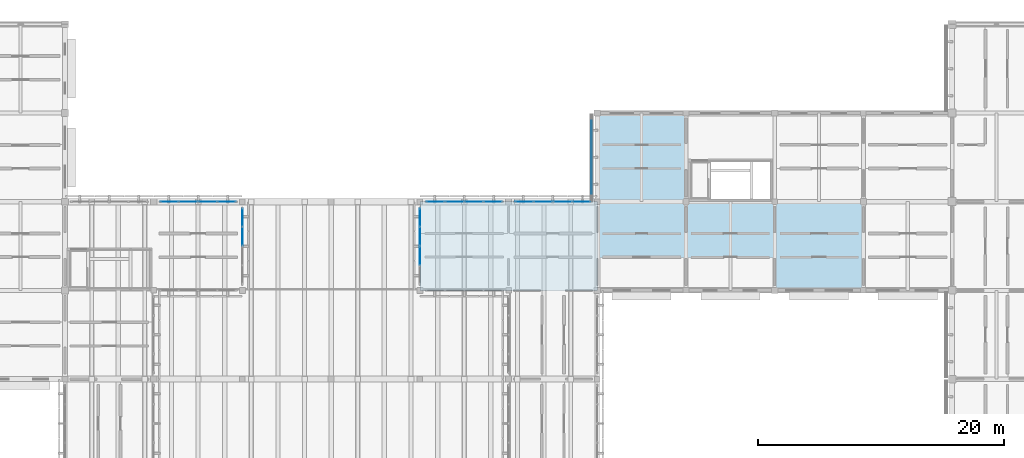
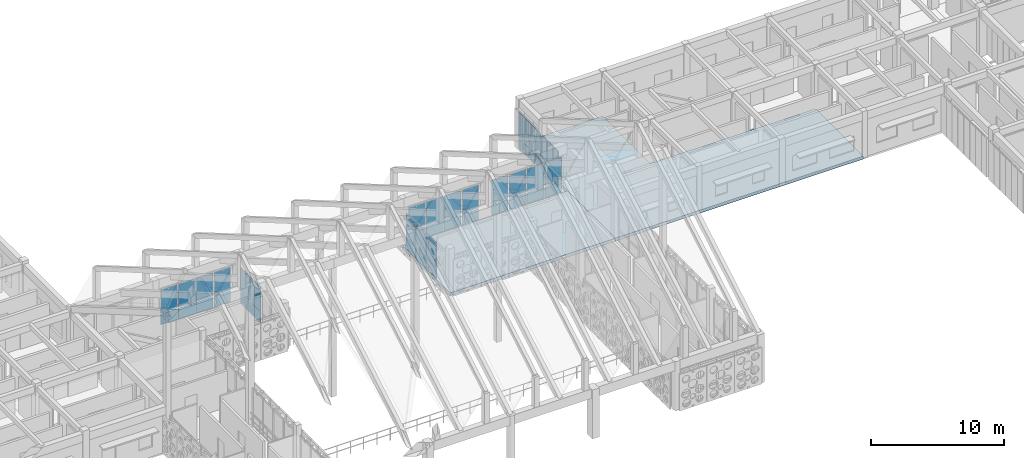
# One storey, part 105 of 171: 48 plates, 2 slabs, 6 elements without a shape of their own.
"""IFC4 building model written with IfcOpenShell, lengths in metres."""

from ifc_helpers import new_model, si_unit, direction, frame, origin, origin_2d, place, context, subcontext, project, spatial, polyline, rectangle, outline, extrude, material, layer, layer_set, type_object, element, aggregate, save


model = new_model("IFC4")

# Units and contexts
model_context = context("Model", 3, precision=1e-05, world=origin(), true_north=direction((0.0, 1.0)))
body_context = subcontext(model_context, "Body", "Model", "MODEL_VIEW")
ifc_project = project(units=[si_unit("LENGTHUNIT", "METRE"), si_unit("AREAUNIT", "SQUARE_METRE"), si_unit("VOLUMEUNIT", "CUBIC_METRE"), si_unit("PLANEANGLEUNIT", "RADIAN"), si_unit("MASSUNIT", "GRAM", prefix="KILO")], contexts=[model_context])

# Site, building, storey
site_placement = place(None, origin())
site = spatial("IfcSite", under=ifc_project, at=site_placement, CompositionType="ELEMENT")
building_placement = place(site_placement, origin())
building = spatial("IfcBuilding", under=site, at=building_placement, Name="Aldebral Square Health Centre", CompositionType="ELEMENT")
storey_placement = place(building_placement, frame((0.0, 0.0, 4.5)))
storey = spatial("IfcBuildingStorey", under=building, at=storey_placement, Name="L01", CompositionType="ELEMENT", Elevation=4.5)

# Curtain wall, plates
ifc_material_1 = material(Name="Aluminium and low-E solar glass", Category="aluminium")
curtain_wall_type_1 = type_object("IfcCurtainWallType", Name="CW-HALL-SYS", PredefinedType="USERDEFINED", material=ifc_material_1)
curtain_wall_1_placement = place(storey_placement, origin())
curtain_wall_1 = element("IfcCurtainWall", 1, at=curtain_wall_1_placement, inside=storey, type_object=curtain_wall_type_1, Name="L01 V1 hall curtain wall L01-V1-10-13-N", ObjectType="HALL_CURTAIN_WALL", PredefinedType="USERDEFINED")
ifc_material_2 = material(Name="Solar-control low-E double glass", Category="glass")
ifc_layer_1 = layer(ifc_material_2, 0.030029296875, Name="Solar-control low-E double glass", Category="glass")
ifc_layer_set_1 = layer_set([ifc_layer_1], Name="Solar-control low-E double glass")
plate_type_1 = type_object("IfcPlateType", Name="CWP-GLZ-2", PredefinedType="CURTAIN_PANEL", material=ifc_layer_set_1)
plate_1_placement = place(storey_placement, frame((77.921142578125, 100.800048828125, 0.0751953125), z_axis=(0.0, 0.0, 1.0), x_axis=(-1.0, 0.0, 0.0)))
plate_1 = element("IfcPlate", 2, at=plate_1_placement, type_object=plate_type_1, Name="CW2 panel 1.1", PredefinedType="CURTAIN_PANEL", context=body_context, shape_type="SweptSolid", body=[
    extrude(rectangle(XDim=1.447509765625, YDim=0.030029296875, at=origin_2d()), origin(), (0.0, 0.0, 1.0), 0.987548828125),
])
plate_2_placement = place(storey_placement, frame((77.921142578125, 100.800048828125, 1.1376953125), z_axis=(0.0, 0.0, 1.0), x_axis=(-1.0, 0.0, 0.0)))
plate_2 = element("IfcPlate", 3, at=plate_2_placement, type_object=plate_type_1, Name="CW2 panel 1.2", PredefinedType="CURTAIN_PANEL", context=body_context, shape_type="SweptSolid", body=[
    extrude(rectangle(XDim=1.447509765625, YDim=0.030029296875, at=origin_2d()), origin(), (0.0, 0.0, 1.0), 2.157470703125),
])
plate_3_placement = place(storey_placement, frame((76.3798828125, 100.800048828125, 0.0751953125), z_axis=(0.0, 0.0, 1.0), x_axis=(-1.0, 0.0, 0.0)))
plate_3 = element("IfcPlate", 4, at=plate_3_placement, type_object=plate_type_1, Name="CW2 panel 2.1", PredefinedType="CURTAIN_PANEL", context=body_context, shape_type="SweptSolid", body=[
    extrude(rectangle(XDim=1.485107421875, YDim=0.030029296875, at=origin_2d()), origin(), (0.0, 0.0, 1.0), 0.987548828125),
])
plate_4_placement = place(storey_placement, frame((76.3798828125, 100.800048828125, 1.1376953125), z_axis=(0.0, 0.0, 1.0), x_axis=(-1.0, 0.0, 0.0)))
plate_4 = element("IfcPlate", 5, at=plate_4_placement, type_object=plate_type_1, Name="CW2 panel 2.2", PredefinedType="CURTAIN_PANEL", context=body_context, shape_type="SweptSolid", body=[
    extrude(rectangle(XDim=1.485107421875, YDim=0.030029296875, at=origin_2d()), origin(), (0.0, 0.0, 1.0), 2.157470703125),
])
plate_5_placement = place(storey_placement, frame((74.820068359375, 100.800048828125, 0.0751953125), z_axis=(0.0, 0.0, 1.0), x_axis=(-1.0, 0.0, 0.0)))
plate_5 = element("IfcPlate", 6, at=plate_5_placement, type_object=plate_type_1, Name="CW2 panel 3.1", PredefinedType="CURTAIN_PANEL", context=body_context, shape_type="SweptSolid", body=[
    extrude(rectangle(XDim=1.485107421875, YDim=0.030029296875, at=origin_2d()), origin(), (0.0, 0.0, 1.0), 0.987548828125),
])
plate_6_placement = place(storey_placement, frame((74.820068359375, 100.800048828125, 1.1376953125), z_axis=(0.0, 0.0, 1.0), x_axis=(-1.0, 0.0, 0.0)))
plate_6 = element("IfcPlate", 7, at=plate_6_placement, type_object=plate_type_1, Name="CW2 panel 3.2", PredefinedType="CURTAIN_PANEL", context=body_context, shape_type="SweptSolid", body=[
    extrude(rectangle(XDim=1.485107421875, YDim=0.030029296875, at=origin_2d()), origin(), (0.0, 0.0, 1.0), 2.157470703125),
])
plate_7_placement = place(storey_placement, frame((73.27880859375, 100.800048828125, 0.0751953125), z_axis=(0.0, 0.0, 1.0), x_axis=(-1.0, 0.0, 0.0)))
plate_7 = element("IfcPlate", 8, at=plate_7_placement, type_object=plate_type_1, Name="CW2 panel 4.1", PredefinedType="CURTAIN_PANEL", context=body_context, shape_type="SweptSolid", body=[
    extrude(rectangle(XDim=1.447509765625, YDim=0.030029296875, at=origin_2d()), origin(), (0.0, 0.0, 1.0), 0.987548828125),
])
plate_8_placement = place(storey_placement, frame((73.27880859375, 100.800048828125, 1.1376953125), z_axis=(0.0, 0.0, 1.0), x_axis=(-1.0, 0.0, 0.0)))
plate_8 = element("IfcPlate", 9, at=plate_8_placement, type_object=plate_type_1, Name="CW2 panel 4.2", PredefinedType="CURTAIN_PANEL", context=body_context, shape_type="SweptSolid", body=[
    extrude(rectangle(XDim=1.447509765625, YDim=0.030029296875, at=origin_2d()), origin(), (0.0, 0.0, 1.0), 2.157470703125),
])
aggregate(curtain_wall_1, [plate_1, plate_2, plate_3, plate_4, plate_5, plate_6, plate_7, plate_8])

curtain_wall_2_placement = place(storey_placement, origin())
curtain_wall_2 = element("IfcCurtainWall", 10, at=curtain_wall_2_placement, inside=storey, type_object=curtain_wall_type_1, Name="L01 V1 hall curtain wall L01-V1-10-13-E", ObjectType="HALL_CURTAIN_WALL", PredefinedType="USERDEFINED")
plate_9_placement = place(storey_placement, frame((79.199951171875, 97.97998046875, 0.0751953125), z_axis=(0.0, 0.0, 1.0), x_axis=(0.0, 1.0, 0.0)))
plate_9 = element("IfcPlate", 11, at=plate_9_placement, type_object=plate_type_1, Name="CW2 panel 3.1", PredefinedType="CURTAIN_PANEL", context=body_context, shape_type="SweptSolid", body=[
    extrude(rectangle(XDim=1.485107421875, YDim=0.030029296875, at=origin_2d()), origin(), (0.0, 0.0, 1.0), 0.987548828125),
])
plate_10_placement = place(storey_placement, frame((79.199951171875, 97.97998046875, 1.1376953125), z_axis=(0.0, 0.0, 1.0), x_axis=(0.0, 1.0, 0.0)))
plate_10 = element("IfcPlate", 12, at=plate_10_placement, type_object=plate_type_1, Name="CW2 panel 3.2", PredefinedType="CURTAIN_PANEL", context=body_context, shape_type="SweptSolid", body=[
    extrude(rectangle(XDim=1.485107421875, YDim=0.030029296875, at=origin_2d()), origin(), (0.0, 0.0, 1.0), 2.257568359375),
])
plate_11_placement = place(storey_placement, frame((79.199951171875, 99.521240234375, 0.0751953125), z_axis=(0.0, 0.0, 1.0), x_axis=(0.0, 1.0, 0.0)))
plate_11 = element("IfcPlate", 13, at=plate_11_placement, type_object=plate_type_1, Name="CW2 panel 4.1", PredefinedType="CURTAIN_PANEL", context=body_context, shape_type="SweptSolid", body=[
    extrude(rectangle(XDim=1.447509765625, YDim=0.030029296875, at=origin_2d()), origin(), (0.0, 0.0, 1.0), 0.987548828125),
])
plate_12_placement = place(storey_placement, frame((79.199951171875, 99.521240234375, 1.1376953125), z_axis=(0.0, 0.0, 1.0), x_axis=(0.0, 1.0, 0.0)))
plate_12 = element("IfcPlate", 14, at=plate_12_placement, type_object=plate_type_1, Name="CW2 panel 4.2", PredefinedType="CURTAIN_PANEL", context=body_context, shape_type="SweptSolid", body=[
    extrude(rectangle(XDim=1.447509765625, YDim=0.030029296875, at=origin_2d()), origin(), (0.0, 0.0, 1.0), 2.257568359375),
])
aggregate(curtain_wall_2, [plate_9, plate_10, plate_11, plate_12])

curtain_wall_3_placement = place(storey_placement, origin())
curtain_wall_3 = element("IfcCurtainWall", 15, at=curtain_wall_3_placement, inside=storey, type_object=curtain_wall_type_1, Name="L01 V1 hall curtain wall L01-V1-13-13-N", ObjectType="HALL_CURTAIN_WALL", PredefinedType="USERDEFINED")
plate_13_placement = place(storey_placement, frame((99.521240234375, 100.800048828125, 0.0751953125), z_axis=(0.0, 0.0, 1.0), x_axis=(-1.0, 0.0, 0.0)))
plate_13 = element("IfcPlate", 16, at=plate_13_placement, type_object=plate_type_1, Name="CW2 panel 1.1", PredefinedType="CURTAIN_PANEL", context=body_context, shape_type="SweptSolid", body=[
    extrude(rectangle(XDim=1.447509765625, YDim=0.030029296875, at=origin_2d()), origin(), (0.0, 0.0, 1.0), 0.987548828125),
])
plate_14_placement = place(storey_placement, frame((99.521240234375, 100.800048828125, 1.1376953125), z_axis=(0.0, 0.0, 1.0), x_axis=(-1.0, 0.0, 0.0)))
plate_14 = element("IfcPlate", 17, at=plate_14_placement, type_object=plate_type_1, Name="CW2 panel 1.2", PredefinedType="CURTAIN_PANEL", context=body_context, shape_type="SweptSolid", body=[
    extrude(rectangle(XDim=1.447509765625, YDim=0.030029296875, at=origin_2d()), origin(), (0.0, 0.0, 1.0), 2.157470703125),
])
plate_15_placement = place(storey_placement, frame((97.97998046875, 100.800048828125, 0.0751953125), z_axis=(0.0, 0.0, 1.0), x_axis=(-1.0, 0.0, 0.0)))
plate_15 = element("IfcPlate", 18, at=plate_15_placement, type_object=plate_type_1, Name="CW2 panel 2.1", PredefinedType="CURTAIN_PANEL", context=body_context, shape_type="SweptSolid", body=[
    extrude(rectangle(XDim=1.485107421875, YDim=0.030029296875, at=origin_2d()), origin(), (0.0, 0.0, 1.0), 0.987548828125),
])
plate_16_placement = place(storey_placement, frame((97.97998046875, 100.800048828125, 1.1376953125), z_axis=(0.0, 0.0, 1.0), x_axis=(-1.0, 0.0, 0.0)))
plate_16 = element("IfcPlate", 19, at=plate_16_placement, type_object=plate_type_1, Name="CW2 panel 2.2", PredefinedType="CURTAIN_PANEL", context=body_context, shape_type="SweptSolid", body=[
    extrude(rectangle(XDim=1.485107421875, YDim=0.030029296875, at=origin_2d()), origin(), (0.0, 0.0, 1.0), 2.157470703125),
])
plate_17_placement = place(storey_placement, frame((96.419921875, 100.800048828125, 0.0751953125), z_axis=(0.0, 0.0, 1.0), x_axis=(-1.0, 0.0, 0.0)))
plate_17 = element("IfcPlate", 20, at=plate_17_placement, type_object=plate_type_1, Name="CW2 panel 3.1", PredefinedType="CURTAIN_PANEL", context=body_context, shape_type="SweptSolid", body=[
    extrude(rectangle(XDim=1.485107421875, YDim=0.030029296875, at=origin_2d()), origin(), (0.0, 0.0, 1.0), 0.987548828125),
])
plate_18_placement = place(storey_placement, frame((96.419921875, 100.800048828125, 1.1376953125), z_axis=(0.0, 0.0, 1.0), x_axis=(-1.0, 0.0, 0.0)))
plate_18 = element("IfcPlate", 21, at=plate_18_placement, type_object=plate_type_1, Name="CW2 panel 3.2", PredefinedType="CURTAIN_PANEL", context=body_context, shape_type="SweptSolid", body=[
    extrude(rectangle(XDim=1.485107421875, YDim=0.030029296875, at=origin_2d()), origin(), (0.0, 0.0, 1.0), 2.157470703125),
])
plate_19_placement = place(storey_placement, frame((94.878662109375, 100.800048828125, 0.0751953125), z_axis=(0.0, 0.0, 1.0), x_axis=(-1.0, 0.0, 0.0)))
plate_19 = element("IfcPlate", 22, at=plate_19_placement, type_object=plate_type_1, Name="CW2 panel 4.1", PredefinedType="CURTAIN_PANEL", context=body_context, shape_type="SweptSolid", body=[
    extrude(rectangle(XDim=1.447509765625, YDim=0.030029296875, at=origin_2d()), origin(), (0.0, 0.0, 1.0), 0.987548828125),
])
plate_20_placement = place(storey_placement, frame((94.878662109375, 100.800048828125, 1.1376953125), z_axis=(0.0, 0.0, 1.0), x_axis=(-1.0, 0.0, 0.0)))
plate_20 = element("IfcPlate", 23, at=plate_20_placement, type_object=plate_type_1, Name="CW2 panel 4.2", PredefinedType="CURTAIN_PANEL", context=body_context, shape_type="SweptSolid", body=[
    extrude(rectangle(XDim=1.447509765625, YDim=0.030029296875, at=origin_2d()), origin(), (0.0, 0.0, 1.0), 2.157470703125),
])
aggregate(curtain_wall_3, [plate_13, plate_14, plate_15, plate_16, plate_17, plate_18, plate_19, plate_20])

curtain_wall_4_placement = place(storey_placement, origin())
curtain_wall_4 = element("IfcCurtainWall", 24, at=curtain_wall_4_placement, inside=storey, type_object=curtain_wall_type_1, Name="L01 V1 hall curtain wall L01-V1-13-13-W", ObjectType="HALL_CURTAIN_WALL", PredefinedType="USERDEFINED")
plate_21_placement = place(storey_placement, frame((93.60009765625, 99.521240234375, 0.0751953125), z_axis=(0.0, 0.0, 1.0), x_axis=(0.0, -1.0, 0.0)))
plate_21 = element("IfcPlate", 25, at=plate_21_placement, type_object=plate_type_1, Name="CW2 panel 1.1", PredefinedType="CURTAIN_PANEL", context=body_context, shape_type="SweptSolid", body=[
    extrude(rectangle(XDim=1.447509765625, YDim=0.030029296875, at=origin_2d()), origin(), (0.0, 0.0, 1.0), 0.987548828125),
])
plate_22_placement = place(storey_placement, frame((93.60009765625, 99.521240234375, 1.1376953125), z_axis=(0.0, 0.0, 1.0), x_axis=(0.0, -1.0, 0.0)))
plate_22 = element("IfcPlate", 26, at=plate_22_placement, type_object=plate_type_1, Name="CW2 panel 1.2", PredefinedType="CURTAIN_PANEL", context=body_context, shape_type="SweptSolid", body=[
    extrude(rectangle(XDim=1.447509765625, YDim=0.030029296875, at=origin_2d()), origin(), (0.0, 0.0, 1.0), 2.257568359375),
])
plate_23_placement = place(storey_placement, frame((93.60009765625, 97.97998046875, 0.0751953125), z_axis=(0.0, 0.0, 1.0), x_axis=(0.0, -1.0, 0.0)))
plate_23 = element("IfcPlate", 27, at=plate_23_placement, type_object=plate_type_1, Name="CW2 panel 2.1", PredefinedType="CURTAIN_PANEL", context=body_context, shape_type="SweptSolid", body=[
    extrude(rectangle(XDim=1.485107421875, YDim=0.030029296875, at=origin_2d()), origin(), (0.0, 0.0, 1.0), 0.987548828125),
])
plate_24_placement = place(storey_placement, frame((93.60009765625, 97.97998046875, 1.1376953125), z_axis=(0.0, 0.0, 1.0), x_axis=(0.0, -1.0, 0.0)))
plate_24 = element("IfcPlate", 28, at=plate_24_placement, type_object=plate_type_1, Name="CW2 panel 2.2", PredefinedType="CURTAIN_PANEL", context=body_context, shape_type="SweptSolid", body=[
    extrude(rectangle(XDim=1.485107421875, YDim=0.030029296875, at=origin_2d()), origin(), (0.0, 0.0, 1.0), 2.257568359375),
])
plate_25_placement = place(storey_placement, frame((93.60009765625, 96.419921875, 0.0751953125), z_axis=(0.0, 0.0, 1.0), x_axis=(0.0, -1.0, 0.0)))
plate_25 = element("IfcPlate", 29, at=plate_25_placement, type_object=plate_type_1, Name="CW2 panel 3.1", PredefinedType="CURTAIN_PANEL", context=body_context, shape_type="SweptSolid", body=[
    extrude(rectangle(XDim=1.485107421875, YDim=0.030029296875, at=origin_2d()), origin(), (0.0, 0.0, 1.0), 0.987548828125),
])
plate_26_placement = place(storey_placement, frame((93.60009765625, 96.419921875, 1.1376953125), z_axis=(0.0, 0.0, 1.0), x_axis=(0.0, -1.0, 0.0)))
plate_26 = element("IfcPlate", 30, at=plate_26_placement, type_object=plate_type_1, Name="CW2 panel 3.2", PredefinedType="CURTAIN_PANEL", context=body_context, shape_type="SweptSolid", body=[
    extrude(rectangle(XDim=1.485107421875, YDim=0.030029296875, at=origin_2d()), origin(), (0.0, 0.0, 1.0), 2.257568359375),
])
aggregate(curtain_wall_4, [plate_21, plate_22, plate_23, plate_24, plate_25, plate_26])

curtain_wall_5_placement = place(storey_placement, origin())
curtain_wall_5 = element("IfcCurtainWall", 31, at=curtain_wall_5_placement, inside=storey, type_object=curtain_wall_type_1, Name="L01 V1 hall curtain wall L01-V1-14-13-N", ObjectType="HALL_CURTAIN_WALL", PredefinedType="USERDEFINED")
plate_27_placement = place(storey_placement, frame((106.72119140625, 100.800048828125, 0.0751953125), z_axis=(0.0, 0.0, 1.0), x_axis=(-1.0, 0.0, 0.0)))
plate_27 = element("IfcPlate", 32, at=plate_27_placement, type_object=plate_type_1, Name="CW2 panel 1.1", PredefinedType="CURTAIN_PANEL", context=body_context, shape_type="SweptSolid", body=[
    extrude(rectangle(XDim=1.447509765625, YDim=0.030029296875, at=origin_2d()), origin(), (0.0, 0.0, 1.0), 0.987548828125),
])
plate_28_placement = place(storey_placement, frame((106.72119140625, 100.800048828125, 1.1376953125), z_axis=(0.0, 0.0, 1.0), x_axis=(-1.0, 0.0, 0.0)))
plate_28 = element("IfcPlate", 33, at=plate_28_placement, type_object=plate_type_1, Name="CW2 panel 1.2", PredefinedType="CURTAIN_PANEL", context=body_context, shape_type="SweptSolid", body=[
    extrude(rectangle(XDim=1.447509765625, YDim=0.030029296875, at=origin_2d()), origin(), (0.0, 0.0, 1.0), 2.157470703125),
])
plate_29_placement = place(storey_placement, frame((105.179931640625, 100.800048828125, 0.0751953125), z_axis=(0.0, 0.0, 1.0), x_axis=(-1.0, 0.0, 0.0)))
plate_29 = element("IfcPlate", 34, at=plate_29_placement, type_object=plate_type_1, Name="CW2 panel 2.1", PredefinedType="CURTAIN_PANEL", context=body_context, shape_type="SweptSolid", body=[
    extrude(rectangle(XDim=1.485107421875, YDim=0.030029296875, at=origin_2d()), origin(), (0.0, 0.0, 1.0), 0.987548828125),
])
plate_30_placement = place(storey_placement, frame((105.179931640625, 100.800048828125, 1.1376953125), z_axis=(0.0, 0.0, 1.0), x_axis=(-1.0, 0.0, 0.0)))
plate_30 = element("IfcPlate", 35, at=plate_30_placement, type_object=plate_type_1, Name="CW2 panel 2.2", PredefinedType="CURTAIN_PANEL", context=body_context, shape_type="SweptSolid", body=[
    extrude(rectangle(XDim=1.485107421875, YDim=0.030029296875, at=origin_2d()), origin(), (0.0, 0.0, 1.0), 2.157470703125),
])
plate_31_placement = place(storey_placement, frame((103.6201171875, 100.800048828125, 0.0751953125), z_axis=(0.0, 0.0, 1.0), x_axis=(-1.0, 0.0, 0.0)))
plate_31 = element("IfcPlate", 36, at=plate_31_placement, type_object=plate_type_1, Name="CW2 panel 3.1", PredefinedType="CURTAIN_PANEL", context=body_context, shape_type="SweptSolid", body=[
    extrude(rectangle(XDim=1.485107421875, YDim=0.030029296875, at=origin_2d()), origin(), (0.0, 0.0, 1.0), 0.987548828125),
])
plate_32_placement = place(storey_placement, frame((103.6201171875, 100.800048828125, 1.1376953125), z_axis=(0.0, 0.0, 1.0), x_axis=(-1.0, 0.0, 0.0)))
plate_32 = element("IfcPlate", 37, at=plate_32_placement, type_object=plate_type_1, Name="CW2 panel 3.2", PredefinedType="CURTAIN_PANEL", context=body_context, shape_type="SweptSolid", body=[
    extrude(rectangle(XDim=1.485107421875, YDim=0.030029296875, at=origin_2d()), origin(), (0.0, 0.0, 1.0), 2.157470703125),
])
plate_33_placement = place(storey_placement, frame((102.078857421875, 100.800048828125, 0.0751953125), z_axis=(0.0, 0.0, 1.0), x_axis=(-1.0, 0.0, 0.0)))
plate_33 = element("IfcPlate", 38, at=plate_33_placement, type_object=plate_type_1, Name="CW2 panel 4.1", PredefinedType="CURTAIN_PANEL", context=body_context, shape_type="SweptSolid", body=[
    extrude(rectangle(XDim=1.447509765625, YDim=0.030029296875, at=origin_2d()), origin(), (0.0, 0.0, 1.0), 0.987548828125),
])
plate_34_placement = place(storey_placement, frame((102.078857421875, 100.800048828125, 1.1376953125), z_axis=(0.0, 0.0, 1.0), x_axis=(-1.0, 0.0, 0.0)))
plate_34 = element("IfcPlate", 39, at=plate_34_placement, type_object=plate_type_1, Name="CW2 panel 4.2", PredefinedType="CURTAIN_PANEL", context=body_context, shape_type="SweptSolid", body=[
    extrude(rectangle(XDim=1.447509765625, YDim=0.030029296875, at=origin_2d()), origin(), (0.0, 0.0, 1.0), 2.157470703125),
])
aggregate(curtain_wall_5, [plate_27, plate_28, plate_29, plate_30, plate_31, plate_32, plate_33, plate_34])

curtain_wall_type_2 = type_object("IfcCurtainWallType", Name="CW-FIN-SYS", PredefinedType="USERDEFINED", material=ifc_material_1)
curtain_wall_6_placement = place(storey_placement, origin())
curtain_wall_6 = element("IfcCurtainWall", 40, at=curtain_wall_6_placement, inside=storey, type_object=curtain_wall_type_2, Name="L01 V5 finned curtain wall L01-V5-15-14-W", ObjectType="SOLAR_CURTAIN_WALL", PredefinedType="USERDEFINED")
ifc_layer_2 = layer(ifc_material_2, 0.0400390625, Name="Solar-control low-E double glass", Category="glass")
ifc_layer_set_2 = layer_set([ifc_layer_2], Name="Solar-control low-E double glass")
plate_type_2 = type_object("IfcPlateType", Name="CWP-GLZ-3", PredefinedType="CURTAIN_PANEL", material=ifc_layer_set_2)
plate_35_placement = place(storey_placement, frame((107.5400390625, 107.0341796875, 0.074951171875), z_axis=(0.0, 0.0, 1.0), x_axis=(0.0, -1.0, 0.0)))
plate_35 = element("IfcPlate", 41, at=plate_35_placement, type_object=plate_type_2, Name="CW1 panel 1.1", PredefinedType="CURTAIN_PANEL", context=body_context, shape_type="SweptSolid", body=[
    extrude(rectangle(XDim=0.6513671875, YDim=0.0400390625, at=origin_2d()), origin(), (0.0, 0.0, 1.0), 0.9375),
])
plate_36_placement = place(storey_placement, frame((107.5400390625, 107.0341796875, 1.087646484375), z_axis=(0.0, 0.0, 1.0), x_axis=(0.0, -1.0, 0.0)))
plate_36 = element("IfcPlate", 42, at=plate_36_placement, type_object=plate_type_2, Name="CW1 panel 1.2", PredefinedType="CURTAIN_PANEL", context=body_context, shape_type="SweptSolid", body=[
    extrude(rectangle(XDim=0.6513671875, YDim=0.0400390625, at=origin_2d()), origin(), (0.0, 0.0, 1.0), 2.357421875),
])
plate_37_placement = place(storey_placement, frame((107.5400390625, 106.182861328125, 0.074951171875), z_axis=(0.0, 0.0, 1.0), x_axis=(0.0, -1.0, 0.0)))
plate_37 = element("IfcPlate", 43, at=plate_37_placement, type_object=plate_type_2, Name="CW1 panel 2.1", PredefinedType="CURTAIN_PANEL", context=body_context, shape_type="SweptSolid", body=[
    extrude(rectangle(XDim=0.7314453125, YDim=0.0400390625, at=origin_2d()), origin(), (0.0, 0.0, 1.0), 0.9375),
])
plate_38_placement = place(storey_placement, frame((107.5400390625, 106.182861328125, 1.087646484375), z_axis=(0.0, 0.0, 1.0), x_axis=(0.0, -1.0, 0.0)))
plate_38 = element("IfcPlate", 44, at=plate_38_placement, type_object=plate_type_2, Name="CW1 panel 2.2", PredefinedType="CURTAIN_PANEL", context=body_context, shape_type="SweptSolid", body=[
    extrude(rectangle(XDim=0.7314453125, YDim=0.0400390625, at=origin_2d()), origin(), (0.0, 0.0, 1.0), 2.357421875),
])
plate_39_placement = place(storey_placement, frame((107.5400390625, 105.29150390625, 0.074951171875), z_axis=(0.0, 0.0, 1.0), x_axis=(0.0, -1.0, 0.0)))
plate_39 = element("IfcPlate", 45, at=plate_39_placement, type_object=plate_type_2, Name="CW1 panel 3.1", PredefinedType="CURTAIN_PANEL", context=body_context, shape_type="SweptSolid", body=[
    extrude(rectangle(XDim=0.7314453125, YDim=0.0400390625, at=origin_2d()), origin(), (0.0, 0.0, 1.0), 0.9375),
])
plate_40_placement = place(storey_placement, frame((107.5400390625, 105.29150390625, 1.087646484375), z_axis=(0.0, 0.0, 1.0), x_axis=(0.0, -1.0, 0.0)))
plate_40 = element("IfcPlate", 46, at=plate_40_placement, type_object=plate_type_2, Name="CW1 panel 3.2", PredefinedType="CURTAIN_PANEL", context=body_context, shape_type="SweptSolid", body=[
    extrude(rectangle(XDim=0.7314453125, YDim=0.0400390625, at=origin_2d()), origin(), (0.0, 0.0, 1.0), 2.357421875),
])
plate_41_placement = place(storey_placement, frame((107.5400390625, 104.39990234375, 0.074951171875), z_axis=(0.0, 0.0, 1.0), x_axis=(0.0, -1.0, 0.0)))
plate_41 = element("IfcPlate", 47, at=plate_41_placement, type_object=plate_type_2, Name="CW1 panel 4.1", PredefinedType="CURTAIN_PANEL", context=body_context, shape_type="SweptSolid", body=[
    extrude(rectangle(XDim=0.7314453125, YDim=0.0400390625, at=origin_2d()), origin(), (0.0, 0.0, 1.0), 0.9375),
])
plate_42_placement = place(storey_placement, frame((107.5400390625, 104.39990234375, 1.087646484375), z_axis=(0.0, 0.0, 1.0), x_axis=(0.0, -1.0, 0.0)))
plate_42 = element("IfcPlate", 48, at=plate_42_placement, type_object=plate_type_2, Name="CW1 panel 4.2", PredefinedType="CURTAIN_PANEL", context=body_context, shape_type="SweptSolid", body=[
    extrude(rectangle(XDim=0.7314453125, YDim=0.0400390625, at=origin_2d()), origin(), (0.0, 0.0, 1.0), 2.357421875),
])
plate_43_placement = place(storey_placement, frame((107.5400390625, 103.508544921875, 0.074951171875), z_axis=(0.0, 0.0, 1.0), x_axis=(0.0, -1.0, 0.0)))
plate_43 = element("IfcPlate", 49, at=plate_43_placement, type_object=plate_type_2, Name="CW1 panel 5.1", PredefinedType="CURTAIN_PANEL", context=body_context, shape_type="SweptSolid", body=[
    extrude(rectangle(XDim=0.7314453125, YDim=0.0400390625, at=origin_2d()), origin(), (0.0, 0.0, 1.0), 0.9375),
])
plate_44_placement = place(storey_placement, frame((107.5400390625, 103.508544921875, 1.087646484375), z_axis=(0.0, 0.0, 1.0), x_axis=(0.0, -1.0, 0.0)))
plate_44 = element("IfcPlate", 50, at=plate_44_placement, type_object=plate_type_2, Name="CW1 panel 5.2", PredefinedType="CURTAIN_PANEL", context=body_context, shape_type="SweptSolid", body=[
    extrude(rectangle(XDim=0.7314453125, YDim=0.0400390625, at=origin_2d()), origin(), (0.0, 0.0, 1.0), 2.357421875),
])
plate_45_placement = place(storey_placement, frame((107.5400390625, 102.6171875, 0.074951171875), z_axis=(0.0, 0.0, 1.0), x_axis=(0.0, -1.0, 0.0)))
plate_45 = element("IfcPlate", 51, at=plate_45_placement, type_object=plate_type_2, Name="CW1 panel 6.1", PredefinedType="CURTAIN_PANEL", context=body_context, shape_type="SweptSolid", body=[
    extrude(rectangle(XDim=0.7314453125, YDim=0.0400390625, at=origin_2d()), origin(), (0.0, 0.0, 1.0), 0.9375),
])
plate_46_placement = place(storey_placement, frame((107.5400390625, 102.6171875, 1.087646484375), z_axis=(0.0, 0.0, 1.0), x_axis=(0.0, -1.0, 0.0)))
plate_46 = element("IfcPlate", 52, at=plate_46_placement, type_object=plate_type_2, Name="CW1 panel 6.2", PredefinedType="CURTAIN_PANEL", context=body_context, shape_type="SweptSolid", body=[
    extrude(rectangle(XDim=0.7314453125, YDim=0.0400390625, at=origin_2d()), origin(), (0.0, 0.0, 1.0), 2.357421875),
])
plate_47_placement = place(storey_placement, frame((107.5400390625, 101.765625, 0.074951171875), z_axis=(0.0, 0.0, 1.0), x_axis=(0.0, -1.0, 0.0)))
plate_47 = element("IfcPlate", 53, at=plate_47_placement, type_object=plate_type_2, Name="CW1 panel 7.1", PredefinedType="CURTAIN_PANEL", context=body_context, shape_type="SweptSolid", body=[
    extrude(rectangle(XDim=0.6513671875, YDim=0.0400390625, at=origin_2d()), origin(), (0.0, 0.0, 1.0), 0.9375),
])
plate_48_placement = place(storey_placement, frame((107.5400390625, 101.765625, 1.087646484375), z_axis=(0.0, 0.0, 1.0), x_axis=(0.0, -1.0, 0.0)))
plate_48 = element("IfcPlate", 54, at=plate_48_placement, type_object=plate_type_2, Name="CW1 panel 7.2", PredefinedType="CURTAIN_PANEL", context=body_context, shape_type="SweptSolid", body=[
    extrude(rectangle(XDim=0.6513671875, YDim=0.0400390625, at=origin_2d()), origin(), (0.0, 0.0, 1.0), 2.357421875),
])
aggregate(curtain_wall_6, [plate_35, plate_36, plate_37, plate_38, plate_39, plate_40, plate_41, plate_42, plate_43, plate_44, plate_45, plate_46, plate_47, plate_48])

# Slabs
ifc_material_3 = material(Name="Concrete C35/45", Category="concrete")
ifc_layer_3 = layer(ifc_material_3, 0.27001953125, Name="Concrete C35/45", Category="concrete")
ifc_layer_set_3 = layer_set([ifc_layer_3], Name="Concrete C35/45")
slab_type_1 = type_object("IfcSlabType", Name="SL-FLR-270", PredefinedType="FLOOR", material=ifc_layer_set_3)
slab_1_placement = place(storey_placement, frame((0.0, 0.0, -0.27001953125)))
element("IfcSlab", 55, at=slab_1_placement, inside=storey, type_object=slab_type_1, Name="L01 V5 floor slab 1", PredefinedType="FLOOR", context=body_context, shape_type="SweptSolid", body=[
    extrude(outline(polyline([(108.0, 108.0), (115.199951171875, 108.0), (115.199951171875, 100.800048828125), (122.39990234375, 100.800048828125), (129.60009765625, 100.800048828125), (129.60009765625, 93.60009765625), (122.39990234375, 93.60009765625), (115.199951171875, 93.60009765625), (108.0, 93.60009765625), (108.0, 100.800048828125), (108.0, 108.0)])), origin(), (0.0, 0.0, 1.0), 0.27001953125),
])
ifc_layer_4 = layer(ifc_material_3, 0.280029296875, Name="Concrete C35/45", Category="concrete")
ifc_layer_set_4 = layer_set([ifc_layer_4], Name="Concrete C35/45")
slab_type_2 = type_object("IfcSlabType", Name="SL-FLR-280", PredefinedType="FLOOR", material=ifc_layer_set_4)
slab_2_placement = place(storey_placement, frame((0.0, 0.0, -0.280029296875)))
element("IfcSlab", 56, at=slab_2_placement, inside=storey, type_object=slab_type_2, Name="L01 V1 floor slab 3", PredefinedType="FLOOR", context=body_context, shape_type="SweptSolid", body=[
    extrude(outline(polyline([(93.60009765625, 100.800048828125), (100.800048828125, 100.800048828125), (108.0, 100.800048828125), (108.0, 93.60009765625), (100.800048828125, 93.60009765625), (93.60009765625, 93.60009765625), (93.60009765625, 100.800048828125)])), origin(), (0.0, 0.0, 1.0), 0.280029296875),
])

save(model, "model.ifc")
